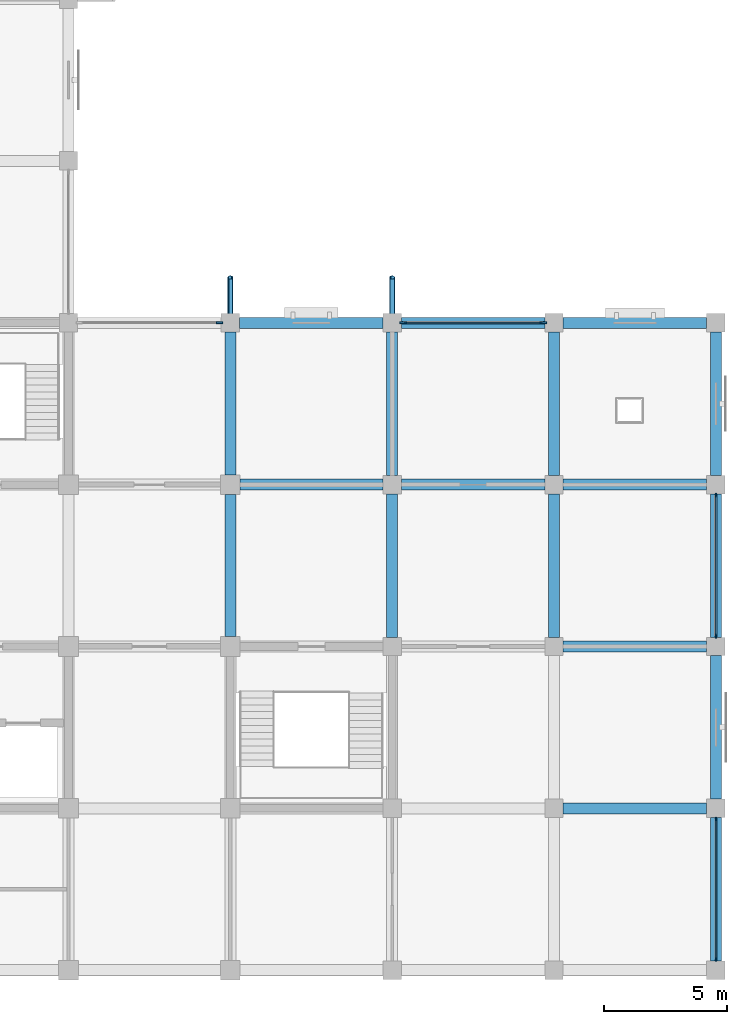
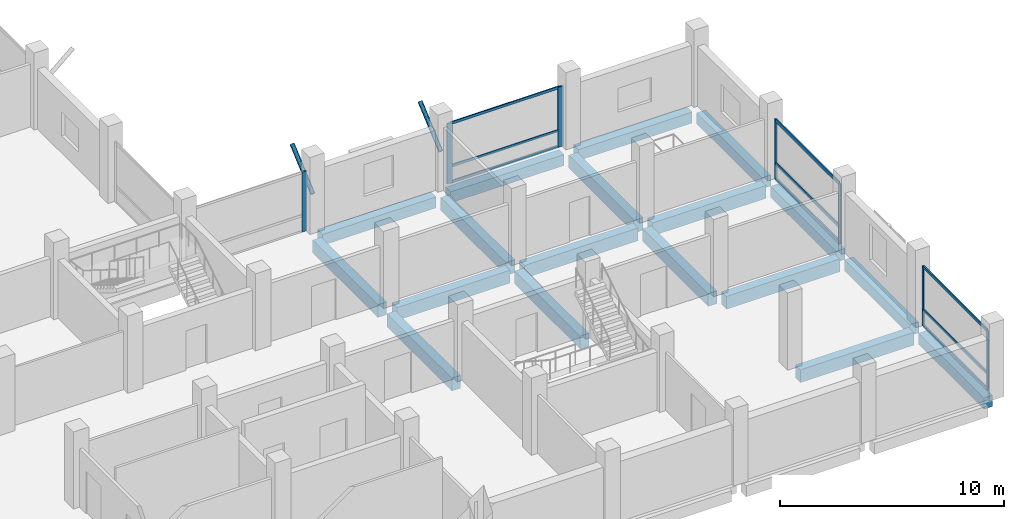
# One storey, part 3 of 18: 18 beams, 18 members, 4 elements without a shape of their own.
"""IFC4 building model written with IfcOpenShell, lengths in metres."""

from ifc_helpers import new_model, si_unit, direction, frame, origin, origin_2d, place, context, subcontext, project, spatial, rectangle, hollow_circle, extrude, material, material_profile, profile_set, type_object, element, aggregate, save


model = new_model("IFC4")

# Units and contexts
model_context = context("Model", 3, precision=1e-05, world=origin(), true_north=direction((0.0, 1.0)))
body_context = subcontext(model_context, "Body", "Model", "MODEL_VIEW")
ifc_project = project(units=[si_unit("LENGTHUNIT", "METRE"), si_unit("AREAUNIT", "SQUARE_METRE"), si_unit("VOLUMEUNIT", "CUBIC_METRE"), si_unit("PLANEANGLEUNIT", "RADIAN"), si_unit("MASSUNIT", "GRAM", prefix="KILO")], contexts=[model_context])

# Site, building, storey
site_placement = place(None, origin())
site = spatial("IfcSite", under=ifc_project, at=site_placement, CompositionType="ELEMENT")
building_placement = place(site_placement, origin())
building = spatial("IfcBuilding", under=site, at=building_placement, Name="Rusizi Kubbe Research Institute", CompositionType="ELEMENT")
storey_placement = place(building_placement, frame((0.0, 0.0, 22.800048828125)))
storey = spatial("IfcBuildingStorey", under=building, at=storey_placement, Name="L05", CompositionType="ELEMENT", Elevation=22.800048828125)

# Beams
ifc_material_1 = material(Name="Concrete C40/50", Category="concrete")
ifc_material_profile_1 = material_profile(ifc_material_1, rectangle(XDim=0.449951171875, YDim=0.60009765625, at=origin_2d()), Name="RC450x600")
ifc_profile_set_1 = profile_set([ifc_material_profile_1], Name="Concrete C40/50")
beam_type_1 = type_object("IfcBeamType", Name="BM-RC450x600", PredefinedType="SPANDREL", material=ifc_profile_set_1)
beam_1_placement = place(storey_placement, frame((33.375, 26.39990234375, -0.64013671875), z_axis=(1.0, 0.0, 0.0), x_axis=(0.0, 1.0, 0.0)))
element("IfcBeam", 1, at=beam_1_placement, inside=storey, type_object=beam_type_1, Name="Grid Beam H L05 (5,4)", PredefinedType="SPANDREL", context=body_context, shape_type="SweptSolid", body=[
    extrude(rectangle(XDim=0.449951171875, YDim=0.60009765625, at=origin_2d()), origin(), (0.0, 0.0, 1.0), 5.85009765625),
])
beam_2_placement = place(storey_placement, frame((39.97509765625, 26.39990234375, -0.64013671875), z_axis=(1.0, 0.0, 0.0), x_axis=(0.0, 1.0, 0.0)))
element("IfcBeam", 2, at=beam_2_placement, inside=storey, type_object=beam_type_1, Name="Grid Beam H L05 (6,4)", PredefinedType="SPANDREL", context=body_context, shape_type="SweptSolid", body=[
    extrude(rectangle(XDim=0.449951171875, YDim=0.60009765625, at=origin_2d()), origin(), (0.0, 0.0, 1.0), 5.849853515625),
])
for number, where, z_axis, x_axis, name in (
    (3, (46.574951171875, 26.39990234375, -0.64013671875), (1.0, 0.0, 0.0), (0.0, 1.0, 0.0), "Grid Beam H L05 (7,4)"),
    (4, (52.800048828125, 0.375, -0.64013671875), (0.0, 1.0, 0.0), (-1.0, 0.0, 0.0), "Grid Beam V L05 (8,0)"),
):
    element("IfcBeam", number, at=place(storey_placement, frame(where, z_axis=z_axis, x_axis=x_axis)), inside=storey, type_object=beam_type_1, Name=name, PredefinedType="SPANDREL", context=body_context, shape_type="SweptSolid", body=[
        extrude(rectangle(XDim=0.449951171875, YDim=0.60009765625, at=origin_2d()), origin(), (0.0, 0.0, 1.0), 5.85009765625),
    ])
beam_3_placement = place(storey_placement, frame((52.800048828125, 6.97509765625, -0.64013671875), z_axis=(0.0, 1.0, 0.0), x_axis=(-1.0, 0.0, 0.0)))
element("IfcBeam", 5, at=beam_3_placement, inside=storey, type_object=beam_type_1, Name="Grid Beam V L05 (8,1)", PredefinedType="SPANDREL", context=body_context, shape_type="SweptSolid", body=[
    extrude(rectangle(XDim=0.449951171875, YDim=0.60009765625, at=origin_2d()), origin(), (0.0, 0.0, 1.0), 5.849853515625),
])
beam_4_placement = place(storey_placement, frame((52.800048828125, 13.574951171875, -0.64013671875), z_axis=(0.0, 1.0, 0.0), x_axis=(-1.0, 0.0, 0.0)))
element("IfcBeam", 6, at=beam_4_placement, inside=storey, type_object=beam_type_1, Name="Grid Beam V L05 (8,2)", PredefinedType="SPANDREL", context=body_context, shape_type="SweptSolid", body=[
    extrude(rectangle(XDim=0.449951171875, YDim=0.60009765625, at=origin_2d()), origin(), (0.0, 0.0, 1.0), 5.85009765625),
])
beam_5_placement = place(storey_placement, frame((52.800048828125, 20.175048828125, -0.64013671875), z_axis=(0.0, 1.0, 0.0), x_axis=(-1.0, 0.0, 0.0)))
element("IfcBeam", 7, at=beam_5_placement, inside=storey, type_object=beam_type_1, Name="Grid Beam V L05 (8,3)", PredefinedType="SPANDREL", context=body_context, shape_type="SweptSolid", body=[
    extrude(rectangle(XDim=0.449951171875, YDim=0.60009765625, at=origin_2d()), origin(), (0.0, 0.0, 1.0), 5.849853515625),
])
ifc_material_2 = material(Name="Concrete C40/50", Category="concrete")
ifc_material_profile_2 = material_profile(ifc_material_2, rectangle(XDim=0.449951171875, YDim=0.699951171875, at=origin_2d()), Name="RC450x700B")
ifc_profile_set_2 = profile_set([ifc_material_profile_2], Name="Concrete C40/50")
beam_type_2 = type_object("IfcBeamType", Name="BM-RC450x700", PredefinedType="BEAM", material=ifc_profile_set_2)
beam_6_placement = place(storey_placement, frame((33.39990234375, 19.800048828125, -0.68994140625), z_axis=(1.0, 0.0, 0.0), x_axis=(0.0, 1.0, 0.0)))
element("IfcBeam", 8, at=beam_6_placement, inside=storey, type_object=beam_type_2, Name="Grid Beam H L05 (5,3)", PredefinedType="BEAM", context=body_context, shape_type="SweptSolid", body=[
    extrude(rectangle(XDim=0.449951171875, YDim=0.699951171875, at=origin_2d()), origin(), (0.0, 0.0, 1.0), 5.8251953125),
])
beam_7_placement = place(storey_placement, frame((39.97509765625, 19.800048828125, -0.68994140625), z_axis=(1.0, 0.0, 0.0), x_axis=(0.0, 1.0, 0.0)))
element("IfcBeam", 9, at=beam_7_placement, inside=storey, type_object=beam_type_2, Name="Grid Beam H L05 (6,3)", PredefinedType="BEAM", context=body_context, shape_type="SweptSolid", body=[
    extrude(rectangle(XDim=0.449951171875, YDim=0.699951171875, at=origin_2d()), origin(), (0.0, 0.0, 1.0), 5.849853515625),
])
for number, where, z_axis, x_axis, name in (
    (10, (46.574951171875, 6.60009765625, -0.68994140625), (1.0, 0.0, 0.0), (0.0, 1.0, 0.0), "Grid Beam H L05 (7,1)"),
    (11, (46.574951171875, 13.199951171875, -0.68994140625), (1.0, 0.0, 0.0), (0.0, 1.0, 0.0), "Grid Beam H L05 (7,2)"),
    (12, (46.574951171875, 19.800048828125, -0.68994140625), (1.0, 0.0, 0.0), (0.0, 1.0, 0.0), "Grid Beam H L05 (7,3)"),
):
    element("IfcBeam", number, at=place(storey_placement, frame(where, z_axis=z_axis, x_axis=x_axis)), inside=storey, type_object=beam_type_2, Name=name, PredefinedType="BEAM", context=body_context, shape_type="SweptSolid", body=[
        extrude(rectangle(XDim=0.449951171875, YDim=0.699951171875, at=origin_2d()), origin(), (0.0, 0.0, 1.0), 5.85009765625),
    ])
beam_8_placement = place(storey_placement, frame((33.0, 13.60009765625, -0.68994140625), z_axis=(0.0, 1.0, 0.0), x_axis=(-1.0, 0.0, 0.0)))
element("IfcBeam", 13, at=beam_8_placement, inside=storey, type_object=beam_type_2, Name="Grid Beam V L05 (5,2)", PredefinedType="BEAM", context=body_context, shape_type="SweptSolid", body=[
    extrude(rectangle(XDim=0.449951171875, YDim=0.699951171875, at=origin_2d()), origin(), (0.0, 0.0, 1.0), 5.7998046875),
])
beam_9_placement = place(storey_placement, frame((33.0, 20.199951171875, -0.68994140625), z_axis=(0.0, 1.0, 0.0), x_axis=(-1.0, 0.0, 0.0)))
element("IfcBeam", 14, at=beam_9_placement, inside=storey, type_object=beam_type_2, Name="Grid Beam V L05 (5,3)", PredefinedType="BEAM", context=body_context, shape_type="SweptSolid", body=[
    extrude(rectangle(XDim=0.449951171875, YDim=0.699951171875, at=origin_2d()), origin(), (0.0, 0.0, 1.0), 5.824951171875),
])
beam_10_placement = place(storey_placement, frame((39.60009765625, 13.574951171875, -0.68994140625), z_axis=(0.0, 1.0, 0.0), x_axis=(-1.0, 0.0, 0.0)))
element("IfcBeam", 15, at=beam_10_placement, inside=storey, type_object=beam_type_2, Name="Grid Beam V L05 (6,2)", PredefinedType="BEAM", context=body_context, shape_type="SweptSolid", body=[
    extrude(rectangle(XDim=0.449951171875, YDim=0.699951171875, at=origin_2d()), origin(), (0.0, 0.0, 1.0), 5.85009765625),
])
beam_11_placement = place(storey_placement, frame((39.60009765625, 20.175048828125, -0.68994140625), z_axis=(0.0, 1.0, 0.0), x_axis=(-1.0, 0.0, 0.0)))
element("IfcBeam", 16, at=beam_11_placement, inside=storey, type_object=beam_type_2, Name="Grid Beam V L05 (6,3)", PredefinedType="BEAM", context=body_context, shape_type="SweptSolid", body=[
    extrude(rectangle(XDim=0.449951171875, YDim=0.699951171875, at=origin_2d()), origin(), (0.0, 0.0, 1.0), 5.849853515625),
])
beam_12_placement = place(storey_placement, frame((46.199951171875, 13.574951171875, -0.68994140625), z_axis=(0.0, 1.0, 0.0), x_axis=(-1.0, 0.0, 0.0)))
element("IfcBeam", 17, at=beam_12_placement, inside=storey, type_object=beam_type_2, Name="Grid Beam V L05 (7,2)", PredefinedType="BEAM", context=body_context, shape_type="SweptSolid", body=[
    extrude(rectangle(XDim=0.449951171875, YDim=0.699951171875, at=origin_2d()), origin(), (0.0, 0.0, 1.0), 5.85009765625),
])
beam_13_placement = place(storey_placement, frame((46.199951171875, 20.175048828125, -0.68994140625), z_axis=(0.0, 1.0, 0.0), x_axis=(-1.0, 0.0, 0.0)))
element("IfcBeam", 18, at=beam_13_placement, inside=storey, type_object=beam_type_2, Name="Grid Beam V L05 (7,3)", PredefinedType="BEAM", context=body_context, shape_type="SweptSolid", body=[
    extrude(rectangle(XDim=0.449951171875, YDim=0.699951171875, at=origin_2d()), origin(), (0.0, 0.0, 1.0), 5.849853515625),
])

# Members
ifc_material_3 = material(Name="Steel S355", Category="steel")
ifc_material_profile_3 = material_profile(ifc_material_3, hollow_circle(Radius=0.109619140625, WallThickness=0.008056640625, at=origin_2d()), Name="CHS 219.1x8.0")
ifc_profile_set_3 = profile_set([ifc_material_profile_3], Name="Steel S355")
member_type_1 = type_object("IfcMemberType", Name="MB-CHS219", PredefinedType="BRACE", material=ifc_profile_set_3)
for number, where, z_axis, x_axis, name in (
    (19, (33.0, 26.39990234375, 1.869873046875), (0.0, 0.756360503059, 0.654155019405), (-1.0, 0.0, 0.0), "Cumba Diagonal Corbel Brace L06-3W"),
    (20, (39.60009765625, 26.39990234375, 1.869873046875), (0.0, 0.756360503059, 0.654155019405), (-1.0, 0.0, 0.0), "Cumba Diagonal Corbel Brace L06-3E"),
):
    element("IfcMember", number, at=place(storey_placement, frame(where, z_axis=z_axis, x_axis=x_axis)), inside=storey, type_object=member_type_1, Name=name, PredefinedType="BRACE", context=body_context, shape_type="SweptSolid", body=[
        extrude(hollow_circle(Radius=0.109619140625, WallThickness=0.008056640625, at=origin_2d()), origin(), (0.0, 0.0, 1.0), 2.446044921875),
    ])

# Curtain wall, members
ifc_material_4 = material(Name="Thermally Broken Aluminium and Low-E Glazing", Category="aluminium")
curtain_wall_type_1 = type_object("IfcCurtainWallType", Name="CW-09", PredefinedType="NOTDEFINED", material=ifc_material_4)
curtain_wall_1_placement = place(storey_placement, origin())
curtain_wall_1 = element("IfcCurtainWall", 21, at=curtain_wall_1_placement, inside=storey, type_object=curtain_wall_type_1, Name="Unitised Facade Curtain Wall CW-L05-V-08-00", PredefinedType="NOTDEFINED")
ifc_material_5 = material(Name="Aluminium Alloy 6063-T6", Category="aluminium")
ifc_material_profile_4 = material_profile(ifc_material_5, rectangle(XDim=0.06005859375, YDim=0.14990234375, at=origin_2d()), Name="ALU-M 60x150")
ifc_profile_set_4 = profile_set([ifc_material_profile_4], Name="Aluminium Alloy 6063-T6")
member_type_2 = type_object("IfcMemberType", Name="ML-01", PredefinedType="MULLION", material=ifc_profile_set_4)
member_1_placement = place(storey_placement, frame((52.800048828125, 0.43505859375, 0.0), z_axis=(0.0, 0.0, 1.0), x_axis=(-1.0, 0.0, 0.0)))
member_1 = element("IfcMember", 22, at=member_1_placement, type_object=member_type_2, Name="CW-09 mullion 1", PredefinedType="MULLION", context=body_context, shape_type="SweptSolid", body=[
    extrude(rectangle(XDim=0.06005859375, YDim=0.14990234375, at=origin_2d()), origin(), (0.0, 0.0, 1.0), 3.27001953125),
])
member_2_placement = place(storey_placement, frame((52.800048828125, 6.1650390625, 0.0), z_axis=(0.0, 0.0, 1.0), x_axis=(-1.0, 0.0, 0.0)))
member_2 = element("IfcMember", 23, at=member_2_placement, type_object=member_type_2, Name="CW-09 mullion 2", PredefinedType="MULLION", context=body_context, shape_type="SweptSolid", body=[
    extrude(rectangle(XDim=0.06005859375, YDim=0.14990234375, at=origin_2d()), origin(), (0.0, 0.0, 1.0), 3.27001953125),
])

ifc_material_6 = material(Name="Thermally Broken Aluminium and Low-E Glazing", Category="aluminium")
curtain_wall_type_2 = type_object("IfcCurtainWallType", Name="CW-08", PredefinedType="NOTDEFINED", material=ifc_material_6)
curtain_wall_2_placement = place(storey_placement, origin())
curtain_wall_2 = element("IfcCurtainWall", 24, at=curtain_wall_2_placement, inside=storey, type_object=curtain_wall_type_2, Name="Unitised Facade Curtain Wall CW-L05-V-08-02", PredefinedType="NOTDEFINED")
ifc_material_7 = material(Name="Aluminium Alloy 6063-T6", Category="aluminium")
ifc_material_profile_5 = material_profile(ifc_material_7, rectangle(XDim=0.06005859375, YDim=0.179931640625, at=origin_2d()), Name="ALU-M 60x180")
ifc_profile_set_5 = profile_set([ifc_material_profile_5], Name="Aluminium Alloy 6063-T6")
member_type_3 = type_object("IfcMemberType", Name="ML-02", PredefinedType="MULLION", material=ifc_profile_set_5)
member_3_placement = place(storey_placement, frame((52.800048828125, 13.635009765625, 0.0), z_axis=(0.0, 0.0, 1.0), x_axis=(-1.0, 0.0, 0.0)))
member_3 = element("IfcMember", 25, at=member_3_placement, type_object=member_type_3, Name="CW-08 mullion 1", PredefinedType="MULLION", context=body_context, shape_type="SweptSolid", body=[
    extrude(rectangle(XDim=0.06005859375, YDim=0.179931640625, at=origin_2d()), origin(), (0.0, 0.0, 1.0), 3.27001953125),
])
member_4_placement = place(storey_placement, frame((52.800048828125, 19.364990234375, 0.0), z_axis=(0.0, 0.0, 1.0), x_axis=(-1.0, 0.0, 0.0)))
member_4 = element("IfcMember", 26, at=member_4_placement, type_object=member_type_3, Name="CW-08 mullion 2", PredefinedType="MULLION", context=body_context, shape_type="SweptSolid", body=[
    extrude(rectangle(XDim=0.06005859375, YDim=0.179931640625, at=origin_2d()), origin(), (0.0, 0.0, 1.0), 3.27001953125),
])

# Curtain wall, member
curtain_wall_3_placement = place(storey_placement, origin())
curtain_wall_3 = element("IfcCurtainWall", 27, at=curtain_wall_3_placement, inside=storey, type_object=curtain_wall_type_1, Name="Unitised Facade Curtain Wall CW-L05-H-04-04", PredefinedType="NOTDEFINED")
ifc_material_8 = material(Name="Aluminium Alloy 6063-T6", Category="aluminium")
ifc_material_profile_6 = material_profile(ifc_material_8, rectangle(XDim=0.074951171875, YDim=0.25, at=origin_2d()), Name="ALU-M 75x250")
ifc_profile_set_6 = profile_set([ifc_material_profile_6], Name="Aluminium Alloy 6063-T6")
member_type_4 = type_object("IfcMemberType", Name="ML-05", PredefinedType="MULLION", material=ifc_profile_set_6)
member_5_placement = place(storey_placement, frame((32.5576171875, 26.39990234375, 0.0), z_axis=(0.0, 0.0, 1.0), x_axis=(0.0, 1.0, 0.0)))
member_5 = element("IfcMember", 28, at=member_5_placement, type_object=member_type_4, Name="CW-09 mullion 2", PredefinedType="MULLION", context=body_context, shape_type="SweptSolid", body=[
    extrude(rectangle(XDim=0.074951171875, YDim=0.25, at=origin_2d()), origin(), (0.0, 0.0, 1.0), 3.27001953125),
])
aggregate(curtain_wall_3, [member_5])

# Curtain wall, members
curtain_wall_4_placement = place(storey_placement, origin())
curtain_wall_4 = element("IfcCurtainWall", 29, at=curtain_wall_4_placement, inside=storey, type_object=curtain_wall_type_2, Name="Unitised Facade Curtain Wall CW-L05-H-06-04", PredefinedType="NOTDEFINED")
ifc_material_9 = material(Name="Aluminium Alloy 6063-T6", Category="aluminium")
ifc_material_profile_7 = material_profile(ifc_material_9, rectangle(XDim=0.080078125, YDim=0.280029296875, at=origin_2d()), Name="ALU-M 80x280")
ifc_profile_set_7 = profile_set([ifc_material_profile_7], Name="Aluminium Alloy 6063-T6")
member_type_5 = type_object("IfcMemberType", Name="ML-06", PredefinedType="MULLION", material=ifc_profile_set_7)
member_6_placement = place(storey_placement, frame((40.044921875, 26.39990234375, 0.0), z_axis=(0.0, 0.0, 1.0), x_axis=(0.0, 1.0, 0.0)))
member_6 = element("IfcMember", 30, at=member_6_placement, type_object=member_type_5, Name="CW-08 mullion 1", PredefinedType="MULLION", context=body_context, shape_type="SweptSolid", body=[
    extrude(rectangle(XDim=0.080078125, YDim=0.280029296875, at=origin_2d()), origin(), (0.0, 0.0, 1.0), 3.27001953125),
])
member_7_placement = place(storey_placement, frame((45.7548828125, 26.39990234375, 0.0), z_axis=(0.0, 0.0, 1.0), x_axis=(0.0, 1.0, 0.0)))
member_7 = element("IfcMember", 31, at=member_7_placement, type_object=member_type_5, Name="CW-08 mullion 2", PredefinedType="MULLION", context=body_context, shape_type="SweptSolid", body=[
    extrude(rectangle(XDim=0.080078125, YDim=0.280029296875, at=origin_2d()), origin(), (0.0, 0.0, 1.0), 3.27001953125),
])
ifc_material_10 = material(Name="Aluminium Alloy 6063-T6", Category="aluminium")
ifc_material_profile_8 = material_profile(ifc_material_10, rectangle(XDim=0.06005859375, YDim=0.139892578125, at=origin_2d()), Name="ALU-T 60x140")
ifc_profile_set_8 = profile_set([ifc_material_profile_8], Name="Aluminium Alloy 6063-T6")
member_type_6 = type_object("IfcMemberType", Name="TR-02", PredefinedType="USERDEFINED", material=ifc_profile_set_8)
member_8_placement = place(storey_placement, frame((40.0849609375, 26.39990234375, 0.030029296875), z_axis=(1.0, 0.0, 0.0), x_axis=(0.0, 1.0, 0.0)))
member_8 = element("IfcMember", 32, at=member_8_placement, type_object=member_type_6, Name="CW-08 transom 1.1", ObjectType="TRANSOM", PredefinedType="USERDEFINED", context=body_context, shape_type="SweptSolid", body=[
    extrude(rectangle(XDim=0.06005859375, YDim=0.139892578125, at=origin_2d()), origin(), (0.0, 0.0, 1.0), 5.630126953125),
])
member_9_placement = place(storey_placement, frame((40.0849609375, 26.39990234375, 0.89990234375), z_axis=(1.0, 0.0, 0.0), x_axis=(0.0, 1.0, 0.0)))
member_9 = element("IfcMember", 33, at=member_9_placement, type_object=member_type_6, Name="CW-08 transom 1.2", ObjectType="TRANSOM", PredefinedType="USERDEFINED", context=body_context, shape_type="SweptSolid", body=[
    extrude(rectangle(XDim=0.06005859375, YDim=0.139892578125, at=origin_2d()), origin(), (0.0, 0.0, 1.0), 5.630126953125),
])
member_10_placement = place(storey_placement, frame((40.0849609375, 26.39990234375, 3.239990234375), z_axis=(1.0, 0.0, 0.0), x_axis=(0.0, 1.0, 0.0)))
member_10 = element("IfcMember", 34, at=member_10_placement, type_object=member_type_6, Name="CW-08 transom 1.3", ObjectType="TRANSOM", PredefinedType="USERDEFINED", context=body_context, shape_type="SweptSolid", body=[
    extrude(rectangle(XDim=0.06005859375, YDim=0.139892578125, at=origin_2d()), origin(), (0.0, 0.0, 1.0), 5.630126953125),
])
aggregate(curtain_wall_4, [member_6, member_7, member_8, member_9, member_10])

# Member
ifc_material_11 = material(Name="Aluminium Alloy 6063-T6", Category="aluminium")
ifc_material_profile_9 = material_profile(ifc_material_11, rectangle(XDim=0.06494140625, YDim=0.159912109375, at=origin_2d()), Name="ALU-T 65x160")
ifc_profile_set_9 = profile_set([ifc_material_profile_9], Name="Aluminium Alloy 6063-T6")
member_type_7 = type_object("IfcMemberType", Name="TR-03", PredefinedType="USERDEFINED", material=ifc_profile_set_9)
member_11_placement = place(storey_placement, frame((52.800048828125, 0.465087890625, 0.032470703125), z_axis=(0.0, 1.0, 0.0), x_axis=(-1.0, 0.0, 0.0)))
member_11 = element("IfcMember", 35, at=member_11_placement, type_object=member_type_7, Name="CW-09 transom 1.1", ObjectType="TRANSOM", PredefinedType="USERDEFINED", context=body_context, shape_type="SweptSolid", body=[
    extrude(rectangle(XDim=0.06494140625, YDim=0.159912109375, at=origin_2d()), origin(), (0.0, 0.0, 1.0), 5.669921875),
])

member_12_placement = place(storey_placement, frame((52.800048828125, 0.465087890625, 0.89990234375), z_axis=(0.0, 1.0, 0.0), x_axis=(-1.0, 0.0, 0.0)))
member_12 = element("IfcMember", 36, at=member_12_placement, type_object=member_type_7, Name="CW-09 transom 1.2", ObjectType="TRANSOM", PredefinedType="USERDEFINED", context=body_context, shape_type="SweptSolid", body=[
    extrude(rectangle(XDim=0.06494140625, YDim=0.159912109375, at=origin_2d()), origin(), (0.0, 0.0, 1.0), 5.669921875),
])

member_13_placement = place(storey_placement, frame((52.800048828125, 0.465087890625, 3.237548828125), z_axis=(0.0, 1.0, 0.0), x_axis=(-1.0, 0.0, 0.0)))
member_13 = element("IfcMember", 37, at=member_13_placement, type_object=member_type_7, Name="CW-09 transom 1.3", ObjectType="TRANSOM", PredefinedType="USERDEFINED", context=body_context, shape_type="SweptSolid", body=[
    extrude(rectangle(XDim=0.06494140625, YDim=0.159912109375, at=origin_2d()), origin(), (0.0, 0.0, 1.0), 5.669921875),
])

aggregate(curtain_wall_1, [member_1, member_2, member_11, member_12, member_13])

ifc_material_12 = material(Name="Aluminium Alloy 6063-T6", Category="aluminium")
ifc_material_profile_10 = material_profile(ifc_material_12, rectangle(XDim=0.070068359375, YDim=0.18994140625, at=origin_2d()), Name="ALU-T 70x190")
ifc_profile_set_10 = profile_set([ifc_material_profile_10], Name="Aluminium Alloy 6063-T6")
member_type_8 = type_object("IfcMemberType", Name="TR-04", PredefinedType="USERDEFINED", material=ifc_profile_set_10)
member_14_placement = place(storey_placement, frame((52.800048828125, 13.6650390625, 0.034912109375), z_axis=(0.0, 1.0, 0.0), x_axis=(-1.0, 0.0, 0.0)))
member_14 = element("IfcMember", 38, at=member_14_placement, type_object=member_type_8, Name="CW-08 transom 1.1", ObjectType="TRANSOM", PredefinedType="USERDEFINED", context=body_context, shape_type="SweptSolid", body=[
    extrude(rectangle(XDim=0.070068359375, YDim=0.18994140625, at=origin_2d()), origin(), (0.0, 0.0, 1.0), 5.669921875),
])

member_15_placement = place(storey_placement, frame((52.800048828125, 13.6650390625, 0.89990234375), z_axis=(0.0, 1.0, 0.0), x_axis=(-1.0, 0.0, 0.0)))
member_15 = element("IfcMember", 39, at=member_15_placement, type_object=member_type_8, Name="CW-08 transom 1.2", ObjectType="TRANSOM", PredefinedType="USERDEFINED", context=body_context, shape_type="SweptSolid", body=[
    extrude(rectangle(XDim=0.070068359375, YDim=0.18994140625, at=origin_2d()), origin(), (0.0, 0.0, 1.0), 5.669921875),
])

member_16_placement = place(storey_placement, frame((52.800048828125, 13.6650390625, 3.23486328125), z_axis=(0.0, 1.0, 0.0), x_axis=(-1.0, 0.0, 0.0)))
member_16 = element("IfcMember", 40, at=member_16_placement, type_object=member_type_8, Name="CW-08 transom 1.3", ObjectType="TRANSOM", PredefinedType="USERDEFINED", context=body_context, shape_type="SweptSolid", body=[
    extrude(rectangle(XDim=0.070068359375, YDim=0.18994140625, at=origin_2d()), origin(), (0.0, 0.0, 1.0), 5.669921875),
])

aggregate(curtain_wall_2, [member_3, member_4, member_14, member_15, member_16])

save(model, "model.ifc")
